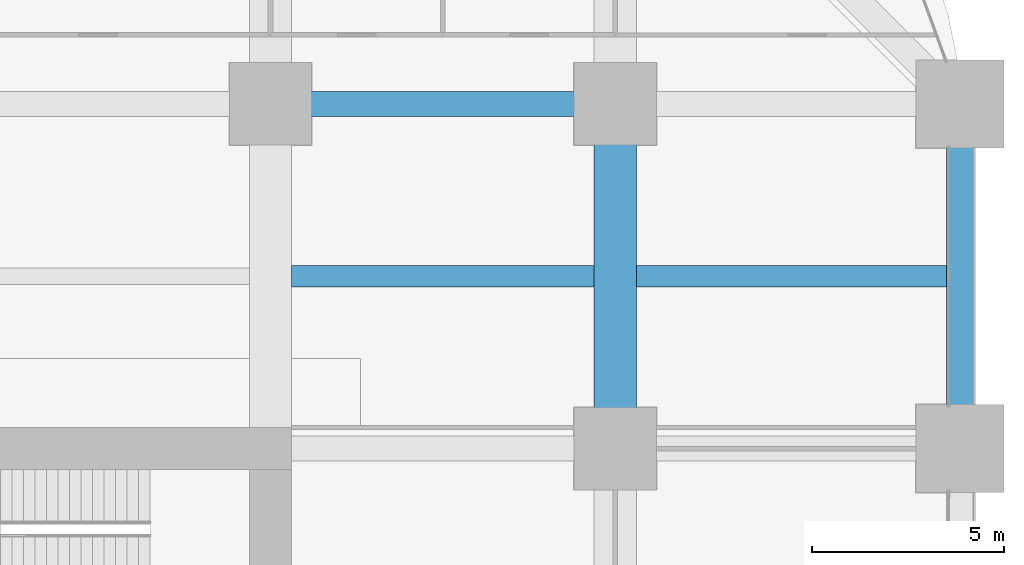
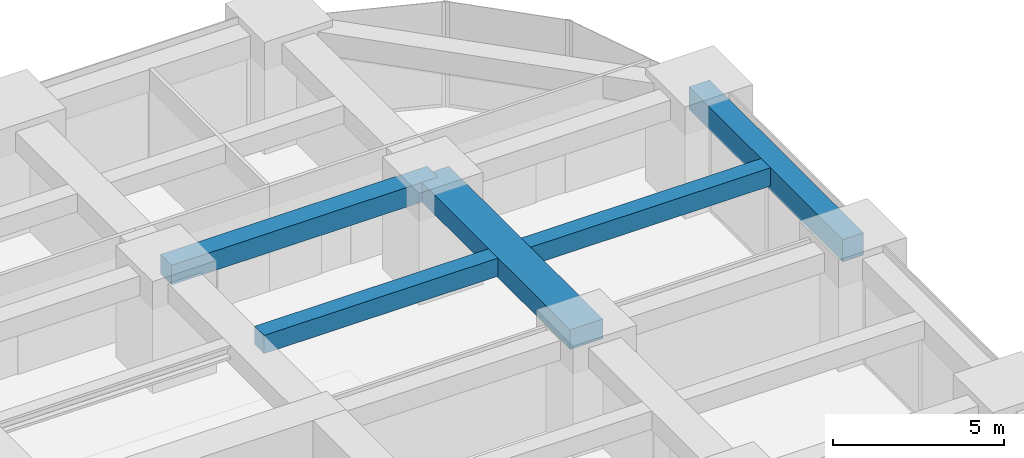
# One storey, part 33 of 44: 5 beams.
"""IFC4 building model written with IfcOpenShell, lengths in metres."""

from ifc_helpers import new_model, si_unit, direction, frame, origin, origin_2d, place, context, subcontext, project, spatial, rectangle, extrude, material, material_profile, profile_set, type_object, element, save


model = new_model("IFC4")

# Units and contexts
model_context = context("Model", 3, precision=1e-05, world=origin(), true_north=direction((0.0, 1.0)))
body_context = subcontext(model_context, "Body", "Model", "MODEL_VIEW")
ifc_project = project(units=[si_unit("LENGTHUNIT", "METRE"), si_unit("AREAUNIT", "SQUARE_METRE"), si_unit("VOLUMEUNIT", "CUBIC_METRE"), si_unit("PLANEANGLEUNIT", "RADIAN"), si_unit("MASSUNIT", "GRAM", prefix="KILO")], contexts=[model_context])

# Site, building, storey
site_placement = place(None, origin())
site = spatial("IfcSite", under=ifc_project, at=site_placement, CompositionType="ELEMENT")
building_placement = place(site_placement, origin())
building = spatial("IfcBuilding", under=site, at=building_placement, Name="Zorevar Civic Tower", CompositionType="ELEMENT")
storey_placement = place(building_placement, frame((0.0, 0.0, 59.800048828125)))
storey = spatial("IfcBuildingStorey", under=building, at=storey_placement, Name="L14", CompositionType="ELEMENT", Elevation=59.800048828125)

# Beams
ifc_material_1 = material(Name="Concrete C50/60", Category="concrete")
ifc_material_profile_1 = material_profile(ifc_material_1, rectangle(XDim=1.10009765625, YDim=0.699951171875, at=origin_2d()), Name="RC 1100x700")
ifc_profile_set_1 = profile_set([ifc_material_profile_1], Name="Concrete C50/60")
beam_type_1 = type_object("IfcBeamType", Name="Beam RC 1100x700", PredefinedType="BEAM", material=ifc_profile_set_1)
beam_1_placement = place(storey_placement, frame((54.0, 36.0, 3.39990234375), z_axis=(0.0, 1.0, 0.0), x_axis=(-1.0, 0.0, 0.0)))
element("IfcBeam", 1, at=beam_1_placement, inside=storey, type_object=beam_type_1, Name="Girder L15", PredefinedType="BEAM", context=body_context, shape_type="SweptSolid", body=[
    extrude(rectangle(XDim=1.10009765625, YDim=0.699951171875, at=origin_2d()), origin(), (0.0, 0.0, 1.0), 9.0),
])
ifc_material_2 = material(Name="Concrete C50/60", Category="concrete")
ifc_material_profile_2 = material_profile(ifc_material_2, rectangle(XDim=0.550048828125, YDim=0.64990234375, at=origin_2d()), Name="RC 550x650")
ifc_profile_set_2 = profile_set([ifc_material_profile_2], Name="Concrete C50/60")
beam_type_2 = type_object("IfcBeamType", Name="Beam RC 550x650", PredefinedType="BEAM", material=ifc_profile_set_2)
beam_2_placement = place(storey_placement, frame((45.550048828125, 40.5, 3.425048828125), z_axis=(1.0, 0.0, 0.0), x_axis=(0.0, 1.0, 0.0)))
element("IfcBeam", 2, at=beam_2_placement, inside=storey, type_object=beam_type_2, Name="Secondary beam L15", PredefinedType="BEAM", context=body_context, shape_type="SweptSolid", body=[
    extrude(rectangle(XDim=0.550048828125, YDim=0.64990234375, at=origin_2d()), origin(), (0.0, 0.0, 1.0), 7.89990234375),
])
beam_3_placement = place(storey_placement, frame((54.550048828125, 40.5, 3.425048828125), z_axis=(1.0, 0.0, 0.0), x_axis=(0.0, 1.0, 0.0)))
element("IfcBeam", 3, at=beam_3_placement, inside=storey, type_object=beam_type_2, Name="Secondary beam L15", PredefinedType="BEAM", context=body_context, shape_type="SweptSolid", body=[
    extrude(rectangle(XDim=0.550048828125, YDim=0.64990234375, at=origin_2d()), origin(), (0.0, 0.0, 1.0), 8.099853515625),
])
ifc_material_3 = material(Name="Concrete C50/60", Category="concrete")
ifc_material_profile_3 = material_profile(ifc_material_3, rectangle(XDim=0.64990234375, YDim=0.699951171875, at=origin_2d()), Name="RC 650x700")
ifc_profile_set_3 = profile_set([ifc_material_profile_3], Name="Concrete C50/60")
beam_type_3 = type_object("IfcBeamType", Name="Beam RC 650x700", PredefinedType="BEAM", material=ifc_profile_set_3)
beam_4_placement = place(storey_placement, frame((45.0, 45.0, 3.39990234375), z_axis=(1.0, 0.0, 0.0), x_axis=(0.0, 1.0, 0.0)))
element("IfcBeam", 4, at=beam_4_placement, inside=storey, type_object=beam_type_3, Name="Girder L15", PredefinedType="BEAM", context=body_context, shape_type="SweptSolid", body=[
    extrude(rectangle(XDim=0.64990234375, YDim=0.699951171875, at=origin_2d()), origin(), (0.0, 0.0, 1.0), 9.0),
])
ifc_material_4 = material(Name="Concrete C50/60", Category="concrete")
ifc_material_profile_4 = material_profile(ifc_material_4, rectangle(XDim=0.699951171875, YDim=0.800048828125, at=origin_2d()), Name="RC 700x800")
ifc_profile_set_4 = profile_set([ifc_material_profile_4], Name="Concrete C50/60")
beam_type_4 = type_object("IfcBeamType", Name="Edge beam RC 700x800", PredefinedType="SPANDREL", material=ifc_profile_set_4)
beam_5_placement = place(storey_placement, frame((63.0, 36.0, 3.349853515625), z_axis=(0.0, 1.0, 0.0), x_axis=(-1.0, 0.0, 0.0)))
element("IfcBeam", 5, at=beam_5_placement, inside=storey, type_object=beam_type_4, Name="Edge beam L15", PredefinedType="SPANDREL", context=body_context, shape_type="SweptSolid", body=[
    extrude(rectangle(XDim=0.699951171875, YDim=0.800048828125, at=origin_2d()), origin(), (0.0, 0.0, 1.0), 9.0),
])

save(model, "model.ifc")
